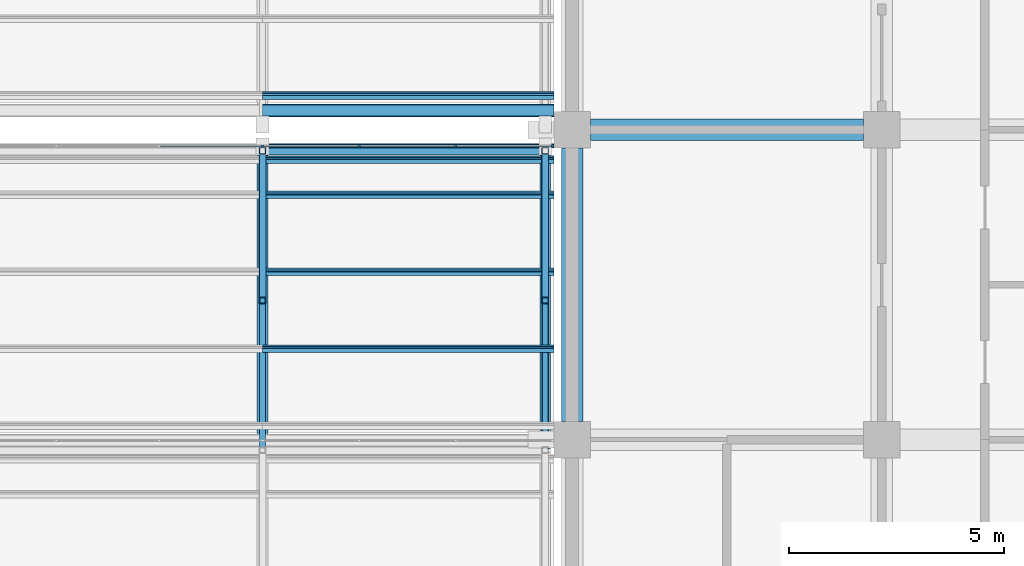
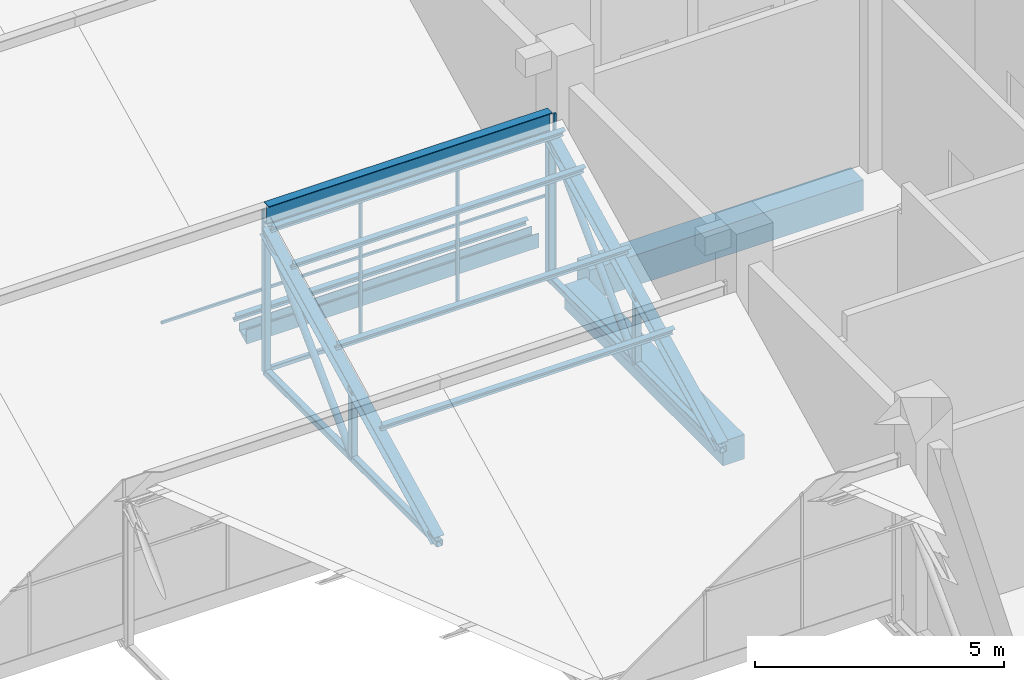
# One storey, part 47 of 83: 26 members, 2 beams, 2 elements without a shape of their own.
"""IFC4 building model written with IfcOpenShell, lengths in metres."""

from ifc_helpers import new_model, si_unit, direction, frame, origin, origin_2d, place, context, subcontext, project, spatial, polyline, rectangle, hollow_rectangle, hollow_circle, i_section, outline, extrude, material, material_profile, profile_set, type_object, element, aggregate, save


model = new_model("IFC4")

# Units and contexts
model_context = context("Model", 3, precision=1e-05, world=origin(), true_north=direction((0.0, 1.0)))
body_context = subcontext(model_context, "Body", "Model", "MODEL_VIEW")
ifc_project = project(units=[si_unit("LENGTHUNIT", "METRE"), si_unit("AREAUNIT", "SQUARE_METRE"), si_unit("VOLUMEUNIT", "CUBIC_METRE"), si_unit("PLANEANGLEUNIT", "RADIAN"), si_unit("MASSUNIT", "GRAM", prefix="KILO")], contexts=[model_context])

# Site, building, storey
site_placement = place(None, origin())
site = spatial("IfcSite", under=ifc_project, at=site_placement, CompositionType="ELEMENT")
building_placement = place(site_placement, origin())
building = spatial("IfcBuilding", under=site, at=building_placement, Name="Silangan Lancet Faculty of Sciences", CompositionType="ELEMENT")
storey_placement = place(building_placement, frame((0.0, 0.0, 11.39990234375)))
storey = spatial("IfcBuildingStorey", under=building, at=storey_placement, Name="L02", CompositionType="ELEMENT", Elevation=11.39990234375)

# Beams
ifc_material_1 = material(Name="Concrete C40/50", Category="concrete")
ifc_material_profile_1 = material_profile(ifc_material_1, rectangle(XDim=0.5, YDim=0.60009765625, at=origin_2d()), Name="RC 500x600")
ifc_profile_set_1 = profile_set([ifc_material_profile_1], Name="Concrete C40/50")
beam_type_1 = type_object("IfcBeamType", Name="BEAM RC 500x600", PredefinedType="BEAM", material=ifc_profile_set_1)
beam_1_placement = place(storey_placement, frame((72.0, 14.824951171875, -0.5498046875), z_axis=(0.0, 1.0, 0.0), x_axis=(-1.0, 0.0, 0.0)))
element("IfcBeam", 1, at=beam_1_placement, inside=storey, type_object=beam_type_1, Name="BM-L02-11C-11D", PredefinedType="BEAM", context=body_context, shape_type="SweptSolid", body=[
    extrude(rectangle(XDim=0.5, YDim=0.60009765625, at=origin_2d()), origin(), (0.0, 0.0, 1.0), 6.35009765625),
])
ifc_material_2 = material(Name="Concrete C40/50", Category="concrete")
ifc_material_profile_2 = material_profile(ifc_material_2, rectangle(XDim=0.5, YDim=0.75, at=origin_2d()), Name="RC 500x750")
ifc_profile_set_2 = profile_set([ifc_material_profile_2], Name="Concrete C40/50")
beam_type_2 = type_object("IfcBeamType", Name="BEAM RC 500x750", PredefinedType="BEAM", material=ifc_profile_set_2)
beam_2_placement = place(storey_placement, frame((72.425048828125, 21.60009765625, -0.625), z_axis=(1.0, 0.0, 0.0), x_axis=(0.0, 1.0, 0.0)))
element("IfcBeam", 2, at=beam_2_placement, inside=storey, type_object=beam_type_2, Name="BM-L02-11D-12D", PredefinedType="BEAM", context=body_context, shape_type="SweptSolid", body=[
    extrude(rectangle(XDim=0.5, YDim=0.75, at=origin_2d()), origin(), (0.0, 0.0, 1.0), 6.349853515625),
])

# Members
ifc_material_3 = material(Name="Steel SS400", Category="steel")
ifc_material_profile_3 = material_profile(ifc_material_3, i_section(OverallWidth=0.199951171875, OverallDepth=0.5, WebThickness=0.010009765625, FlangeThickness=0.01611328125, FilletRadius=0.02001953125, at=origin_2d()), Name="H 500x200x10x16")
ifc_profile_set_3 = profile_set([ifc_material_profile_3], Name="Steel SS400")
member_type_1 = type_object("IfcMemberType", Name="Exposed ridge beam H 500x200x10x16", PredefinedType="MEMBER", material=ifc_profile_set_3)
member_1_placement = place(storey_placement, frame((64.800048828125, 21.114990234375, 3.9326171875), z_axis=(1.0, 0.0, 0.0), x_axis=(0.0, 1.0, 0.0)))
element("IfcMember", 3, at=member_1_placement, inside=storey, type_object=member_type_1, Name="Exposed ridge beam SAB-3-6", PredefinedType="MEMBER", context=body_context, shape_type="SweptSolid", body=[
    extrude(i_section(OverallWidth=0.199951171875, OverallDepth=0.5, WebThickness=0.010009765625, FlangeThickness=0.01611328125, FilletRadius=0.02001953125, at=origin_2d()), origin(), (0.0, 0.0, 1.0), 6.574951171875),
])
ifc_material_4 = material(Name="Steel STKR400", Category="steel")
ifc_material_profile_4 = material_profile(ifc_material_4, hollow_rectangle(XDim=0.10009765625, YDim=0.10009765625, WallThickness=0.006103515625, InnerFilletRadius=0.006103515625, OuterFilletRadius=0.011962890625, at=origin_2d()), Name="SHS 100x100x6.0")
ifc_profile_set_4 = profile_set([ifc_material_profile_4], Name="Steel STKR400")
member_type_2 = type_object("IfcMemberType", Name="Light sill SHS 100x100x6.0", PredefinedType="MEMBER", material=ifc_profile_set_4)
member_2_placement = place(storey_placement, frame((64.800048828125, 21.22998046875, 0.050048828125), z_axis=(1.0, 0.0, 0.0), x_axis=(0.0, 1.0, 0.0)))
element("IfcMember", 4, at=member_2_placement, inside=storey, type_object=member_type_2, Name="North light sill SAB-3-6", PredefinedType="MEMBER", context=body_context, shape_type="SweptSolid", body=[
    extrude(hollow_rectangle(XDim=0.10009765625, YDim=0.10009765625, WallThickness=0.006103515625, InnerFilletRadius=0.006103515625, OuterFilletRadius=0.011962890625, at=origin_2d()), origin(), (0.0, 0.0, 1.0), 6.77490234375),
])

# Curtain wall, members
ifc_material_5 = material(Name="Aluminium and laminated glass", Category="aluminium")
curtain_wall_type = type_object("IfcCurtainWallType", Name="North light glazing system", PredefinedType="NOTDEFINED", material=ifc_material_5)
curtain_wall_1_placement = place(storey_placement, origin())
curtain_wall_1 = element("IfcCurtainWall", 5, at=curtain_wall_1_placement, inside=storey, type_object=curtain_wall_type, Name="North light glazing SAB-3-6", PredefinedType="NOTDEFINED")
ifc_material_6 = material(Name="Aluminium 6063-T6", Category="aluminium")
ifc_material_profile_5 = material_profile(ifc_material_6, rectangle(XDim=0.06005859375, YDim=0.050048828125, at=origin_2d()), Name="AL 60x50")
ifc_profile_set_5 = profile_set([ifc_material_profile_5], Name="Aluminium 6063-T6")
member_type_3 = type_object("IfcMemberType", Name="North light mullion 60x50", PredefinedType="MULLION", material=ifc_profile_set_5)
member_3_placement = place(storey_placement, frame((64.800048828125, 21.22998046875, 0.10009765625), z_axis=(0.0, 0.0, 1.0), x_axis=(1.0, 0.0, 0.0)))
member_3 = element("IfcMember", 6, at=member_3_placement, type_object=member_type_3, Name="North light mullion SAB-3-6 1", PredefinedType="MULLION", context=body_context, shape_type="SweptSolid", body=[
    extrude(rectangle(XDim=0.06005859375, YDim=0.050048828125, at=origin_2d()), origin(), (0.0, 0.0, 1.0), 3.884033203125),
])
member_4_placement = place(storey_placement, frame((67.04833984375, 21.22998046875, 0.10009765625), z_axis=(0.0, 0.0, 1.0), x_axis=(1.0, 0.0, 0.0)))
member_4 = element("IfcMember", 7, at=member_4_placement, type_object=member_type_3, Name="North light mullion SAB-3-6 2", PredefinedType="MULLION", context=body_context, shape_type="SweptSolid", body=[
    extrude(rectangle(XDim=0.06005859375, YDim=0.050048828125, at=origin_2d()), origin(), (0.0, 0.0, 1.0), 3.884033203125),
])
member_5_placement = place(storey_placement, frame((69.296630859375, 21.22998046875, 0.10009765625), z_axis=(0.0, 0.0, 1.0), x_axis=(1.0, 0.0, 0.0)))
member_5 = element("IfcMember", 8, at=member_5_placement, type_object=member_type_3, Name="North light mullion SAB-3-6 3", PredefinedType="MULLION", context=body_context, shape_type="SweptSolid", body=[
    extrude(rectangle(XDim=0.06005859375, YDim=0.050048828125, at=origin_2d()), origin(), (0.0, 0.0, 1.0), 3.884033203125),
])
member_6_placement = place(storey_placement, frame((71.544921875, 21.22998046875, 0.10009765625), z_axis=(0.0, 0.0, 1.0), x_axis=(1.0, 0.0, 0.0)))
member_6 = element("IfcMember", 9, at=member_6_placement, type_object=member_type_3, Name="North light mullion SAB-3-6 4", PredefinedType="MULLION", context=body_context, shape_type="SweptSolid", body=[
    extrude(rectangle(XDim=0.06005859375, YDim=0.050048828125, at=origin_2d()), origin(), (0.0, 0.0, 1.0), 3.884033203125),
])

# Curtain wall, member
curtain_wall_2_placement = place(storey_placement, origin())
curtain_wall_2 = element("IfcCurtainWall", 10, at=curtain_wall_2_placement, inside=storey, type_object=curtain_wall_type, Name="North light glazing SAB-3-5", PredefinedType="NOTDEFINED")
ifc_material_7 = material(Name="Aluminium 6063-T6", Category="aluminium")
ifc_material_profile_6 = material_profile(ifc_material_7, rectangle(XDim=0.050048828125, YDim=0.06005859375, at=origin_2d()), Name="AL 50x60")
ifc_profile_set_6 = profile_set([ifc_material_profile_6], Name="Aluminium 6063-T6")
member_type_4 = type_object("IfcMemberType", Name="North light transom 50x60", PredefinedType="USERDEFINED", material=ifc_profile_set_6)
member_7_placement = place(storey_placement, frame((62.429931640625, 21.22998046875, 2.0419921875), z_axis=(1.0, 0.0, 0.0), x_axis=(0.0, 1.0, 0.0)))
member_7 = element("IfcMember", 11, at=member_7_placement, type_object=member_type_4, Name="North light transom SAB-3-5 3", ObjectType="TRANSOM", PredefinedType="USERDEFINED", context=body_context, shape_type="SweptSolid", body=[
    extrude(rectangle(XDim=0.050048828125, YDim=0.06005859375, at=origin_2d()), origin(), (0.0, 0.0, 1.0), 2.340087890625),
])
aggregate(curtain_wall_2, [member_7])

# Member
member_8_placement = place(storey_placement, frame((64.830078125, 21.22998046875, 2.0419921875), z_axis=(1.0, 0.0, 0.0), x_axis=(0.0, 1.0, 0.0)))
member_8 = element("IfcMember", 12, at=member_8_placement, type_object=member_type_4, Name="North light transom SAB-3-6 1", ObjectType="TRANSOM", PredefinedType="USERDEFINED", context=body_context, shape_type="SweptSolid", body=[
    extrude(rectangle(XDim=0.050048828125, YDim=0.06005859375, at=origin_2d()), origin(), (0.0, 0.0, 1.0), 2.188232421875),
])

member_9_placement = place(storey_placement, frame((67.078369140625, 21.22998046875, 2.0419921875), z_axis=(1.0, 0.0, 0.0), x_axis=(0.0, 1.0, 0.0)))
member_9 = element("IfcMember", 13, at=member_9_placement, type_object=member_type_4, Name="North light transom SAB-3-6 2", ObjectType="TRANSOM", PredefinedType="USERDEFINED", context=body_context, shape_type="SweptSolid", body=[
    extrude(rectangle(XDim=0.050048828125, YDim=0.06005859375, at=origin_2d()), origin(), (0.0, 0.0, 1.0), 2.188232421875),
])

member_10_placement = place(storey_placement, frame((69.32666015625, 21.22998046875, 2.0419921875), z_axis=(1.0, 0.0, 0.0), x_axis=(0.0, 1.0, 0.0)))
member_10 = element("IfcMember", 14, at=member_10_placement, type_object=member_type_4, Name="North light transom SAB-3-6 3", ObjectType="TRANSOM", PredefinedType="USERDEFINED", context=body_context, shape_type="SweptSolid", body=[
    extrude(rectangle(XDim=0.050048828125, YDim=0.06005859375, at=origin_2d()), origin(), (0.0, 0.0, 1.0), 2.248291015625),
])

aggregate(curtain_wall_1, [member_3, member_4, member_5, member_6, member_8, member_9, member_10])

# Members
ifc_material_8 = material(Name="Steel SS400", Category="steel")
ifc_material_profile_7 = material_profile(ifc_material_8, i_section(OverallWidth=0.10009765625, OverallDepth=0.199951171875, WebThickness=0.005615234375, FlangeThickness=0.008056640625, FilletRadius=0.008056640625, at=origin_2d()), Name="H 200x100x5.5x8")
ifc_profile_set_7 = profile_set([ifc_material_profile_7], Name="Steel SS400")
member_type_5 = type_object("IfcMemberType", Name="Sheeting purlin H 200x100x5.5x8", PredefinedType="PURLIN", material=ifc_profile_set_7)
for number, where, z_axis, x_axis, name in (
    (15, (64.800048828125, 16.512451171875, 1.526123046875), (1.0, 0.0, 0.0), (0.0, 0.894427192382, 0.447213592736), "Sheeting purlin SAB-3-6 2"),
    (16, (64.800048828125, 18.30126953125, 2.420654296875), (1.0, 0.0, 0.0), (0.0, 0.894427192382, 0.447213592736), "Sheeting purlin SAB-3-6 3"),
    (17, (64.800048828125, 20.090087890625, 3.31494140625), (1.0, 0.0, 0.0), (0.0, 0.894427192382, 0.447213592736), "Sheeting purlin SAB-3-6 4"),
    (18, (64.800048828125, 20.906982421875, 3.723388671875), (1.0, 0.0, 0.0), (0.0, 0.894427192382, 0.447213592736), "Sheeting purlin SAB-3-6 5"),
    (19, (64.800048828125, 22.400146484375, 0.6318359375), (1.0, 0.0, 0.0), (0.0, 0.894427192382, 0.447213592736), "Sheeting purlin AUD-1-3 1"),
):
    element("IfcMember", number, at=place(storey_placement, frame(where, z_axis=z_axis, x_axis=x_axis)), inside=storey, type_object=member_type_5, Name=name, PredefinedType="PURLIN", context=body_context, shape_type="SweptSolid", body=[
        extrude(i_section(OverallWidth=0.10009765625, OverallDepth=0.199951171875, WebThickness=0.005615234375, FlangeThickness=0.008056640625, FilletRadius=0.008056640625, at=origin_2d()), origin(), (0.0, 0.0, 1.0), 6.77490234375),
    ])
ifc_material_9 = material(Name="Steel STKR400", Category="steel")
ifc_material_profile_8 = material_profile(ifc_material_9, hollow_rectangle(XDim=0.14990234375, YDim=0.14990234375, WallThickness=0.009033203125, InnerFilletRadius=0.009033203125, OuterFilletRadius=0.01806640625, at=origin_2d()), Name="SHS 150x150x9.0")
ifc_profile_set_8 = profile_set([ifc_material_profile_8], Name="Steel STKR400")
member_type_6 = type_object("IfcMemberType", Name="Truss bottom chord SHS 150x150x9.0", PredefinedType="CHORD", material=ifc_profile_set_8)
for number, where, z_axis, x_axis, name in (
    (20, (64.800048828125, 14.1533203125, 0.09521484375), (0.0, 1.0, 0.0), (-1.0, 0.0, 0.0), "Truss 6 bottom chord 3"),
    (21, (71.375, 14.1533203125, 0.09521484375), (0.0, 1.0, 0.0), (-1.0, 0.0, 0.0), "Truss 7 bottom chord 3"),
):
    element("IfcMember", number, at=place(storey_placement, frame(where, z_axis=z_axis, x_axis=x_axis)), inside=storey, type_object=member_type_6, Name=name, PredefinedType="CHORD", context=body_context, shape_type="SweptSolid", body=[
        extrude(hollow_rectangle(XDim=0.14990234375, YDim=0.14990234375, WallThickness=0.009033203125, InnerFilletRadius=0.009033203125, OuterFilletRadius=0.01806640625, at=origin_2d()), origin(), (0.0, 0.0, 1.0), 6.961669921875),
    ])
ifc_material_10 = material(Name="Steel STK400", Category="steel")
ifc_material_profile_9 = material_profile(ifc_material_10, hollow_circle(Radius=0.08251953125, WallThickness=0.0048828125, at=origin_2d()), Name="CHS 165.2x5.0")
ifc_profile_set_9 = profile_set([ifc_material_profile_9], Name="Steel STK400")
member_type_7 = type_object("IfcMemberType", Name="Truss diagonal CHS 165.2x5.0", PredefinedType="BRACE", material=ifc_profile_set_9)
for number, where, z_axis, x_axis, name in (
    (22, (64.800048828125, 17.63427734375, 0.09521484375), (0.0, 0.707106781187, 0.707106781187), (-1.0, 0.0, 0.0), "Truss 6 diagonal 3"),
    (23, (71.375, 17.63427734375, 0.09521484375), (0.0, 0.707106781187, 0.707106781187), (-1.0, 0.0, 0.0), "Truss 7 diagonal 3"),
):
    element("IfcMember", number, at=place(storey_placement, frame(where, z_axis=z_axis, x_axis=x_axis)), inside=storey, type_object=member_type_7, Name=name, PredefinedType="BRACE", context=body_context, shape_type="SweptSolid", body=[
        extrude(hollow_circle(Radius=0.08251953125, WallThickness=0.0048828125, at=origin_2d()), origin(), (0.0, 0.0, 1.0), 4.92236328125),
    ])
ifc_material_11 = material(Name="Steel STKR400", Category="steel")
ifc_material_profile_10 = material_profile(ifc_material_11, hollow_rectangle(XDim=0.14990234375, YDim=0.14990234375, WallThickness=0.006103515625, InnerFilletRadius=0.006103515625, OuterFilletRadius=0.011962890625, at=origin_2d()), Name="SHS 150x150x6.0")
ifc_profile_set_10 = profile_set([ifc_material_profile_10], Name="Steel STKR400")
member_type_8 = type_object("IfcMemberType", Name="Truss post SHS 150x150x6.0", PredefinedType="POST", material=ifc_profile_set_10)
member_11_placement = place(storey_placement, frame((64.800048828125, 21.114990234375, 0.09521484375), z_axis=(0.0, 0.0, 1.0), x_axis=(1.0, 0.0, 0.0)))
element("IfcMember", 24, at=member_11_placement, inside=storey, type_object=member_type_8, Name="Truss 6 riser post 3", PredefinedType="POST", context=body_context, shape_type="SweptSolid", body=[
    extrude(hollow_rectangle(XDim=0.14990234375, YDim=0.14990234375, WallThickness=0.006103515625, InnerFilletRadius=0.006103515625, OuterFilletRadius=0.011962890625, at=origin_2d()), origin(), (0.0, 0.0, 1.0), 3.480712890625),
])
member_12_placement = place(storey_placement, frame((64.800048828125, 17.63427734375, 0.09521484375), z_axis=(0.0, 0.0, 1.0), x_axis=(1.0, 0.0, 0.0)))
element("IfcMember", 25, at=member_12_placement, inside=storey, type_object=member_type_8, Name="Truss 6 mid post 3", PredefinedType="POST", context=body_context, shape_type="SweptSolid", body=[
    extrude(hollow_rectangle(XDim=0.14990234375, YDim=0.14990234375, WallThickness=0.006103515625, InnerFilletRadius=0.006103515625, OuterFilletRadius=0.011962890625, at=origin_2d()), origin(), (0.0, 0.0, 1.0), 1.740234375),
])
member_13_placement = place(storey_placement, frame((71.375, 21.114990234375, 0.09521484375), z_axis=(0.0, 0.0, 1.0), x_axis=(1.0, 0.0, 0.0)))
element("IfcMember", 26, at=member_13_placement, inside=storey, type_object=member_type_8, Name="Truss 7 riser post 3", PredefinedType="POST", context=body_context, shape_type="SweptSolid", body=[
    extrude(hollow_rectangle(XDim=0.14990234375, YDim=0.14990234375, WallThickness=0.006103515625, InnerFilletRadius=0.006103515625, OuterFilletRadius=0.011962890625, at=origin_2d()), origin(), (0.0, 0.0, 1.0), 3.480712890625),
])
member_14_placement = place(storey_placement, frame((71.375, 17.63427734375, 0.09521484375), z_axis=(0.0, 0.0, 1.0), x_axis=(1.0, 0.0, 0.0)))
element("IfcMember", 27, at=member_14_placement, inside=storey, type_object=member_type_8, Name="Truss 7 mid post 3", PredefinedType="POST", context=body_context, shape_type="SweptSolid", body=[
    extrude(hollow_rectangle(XDim=0.14990234375, YDim=0.14990234375, WallThickness=0.006103515625, InnerFilletRadius=0.006103515625, OuterFilletRadius=0.011962890625, at=origin_2d()), origin(), (0.0, 0.0, 1.0), 1.740234375),
])
ifc_material_12 = material(Name="Steel SS400", Category="steel")
ifc_material_profile_11 = material_profile(ifc_material_12, i_section(OverallWidth=0.25, OverallDepth=0.25, WebThickness=0.009033203125, FlangeThickness=0.013916015625, FilletRadius=0.01611328125, at=origin_2d()), Name="H 250x250x9x14")
ifc_profile_set_11 = profile_set([ifc_material_profile_11], Name="Steel SS400")
member_type_9 = type_object("IfcMemberType", Name="Truss top chord H 250x250x9x14", PredefinedType="CHORD", material=ifc_profile_set_11)
for number, where, z_axis, x_axis, name in (
    (28, (64.800048828125, 14.23388671875, 0.13525390625), (0.0, 0.894420844124, 0.447226289027), (-1.0, 0.0, 0.0), "Truss 6 top chord 3"),
    (29, (71.375, 14.23388671875, 0.13525390625), (0.0, 0.894420844124, 0.447226289027), (-1.0, 0.0, 0.0), "Truss 7 top chord 3"),
):
    element("IfcMember", number, at=place(storey_placement, frame(where, z_axis=z_axis, x_axis=x_axis)), inside=storey, type_object=member_type_9, Name=name, PredefinedType="CHORD", context=body_context, shape_type="SweptSolid", body=[
        extrude(i_section(OverallWidth=0.25, OverallDepth=0.25, WebThickness=0.009033203125, FlangeThickness=0.013916015625, FilletRadius=0.01611328125, at=origin_2d()), origin(), (0.0, 0.0, 1.0), 7.693359375),
    ])
ifc_material_13 = material(Name="Stainless steel", Category="steel")
ifc_material_profile_12 = material_profile(ifc_material_13, outline(polyline([(-0.14990234375, 0.0), (0.14990234375, 0.14990234375), (0.14990234375, 0.35009765625), (0.1298828125, 0.35009765625), (0.1298828125, 0.169921875), (-0.1298828125, 0.169921875), (-0.1298828125, 0.35009765625), (-0.14990234375, 0.35009765625), (-0.14990234375, 0.0)])), Name="valley gutter")
ifc_profile_set_12 = profile_set([ifc_material_profile_12], Name="Stainless steel")
member_type_10 = type_object("IfcMemberType", Name="Valley gutter 300 wide", PredefinedType="USERDEFINED", material=ifc_profile_set_12)
member_15_placement = place(storey_placement, frame((64.800048828125, 22.054931640625, 0.2724609375), z_axis=(1.0, 0.0, 0.0), x_axis=(0.0, 1.0, 0.0)))
element("IfcMember", 30, at=member_15_placement, inside=storey, type_object=member_type_10, Name="Valley gutter AUD-1-3", ObjectType="GUTTER", PredefinedType="USERDEFINED", context=body_context, shape_type="SweptSolid", body=[
    extrude(outline(polyline([(-0.14990234375, 0.0), (0.14990234375, 0.14990234375), (0.14990234375, 0.35009765625), (0.1298828125, 0.35009765625), (0.1298828125, 0.169921875), (-0.1298828125, 0.169921875), (-0.1298828125, 0.35009765625), (-0.14990234375, 0.35009765625), (-0.14990234375, 0.0)])), origin(), (0.0, 0.0, 1.0), 6.77490234375),
])

save(model, "model.ifc")
